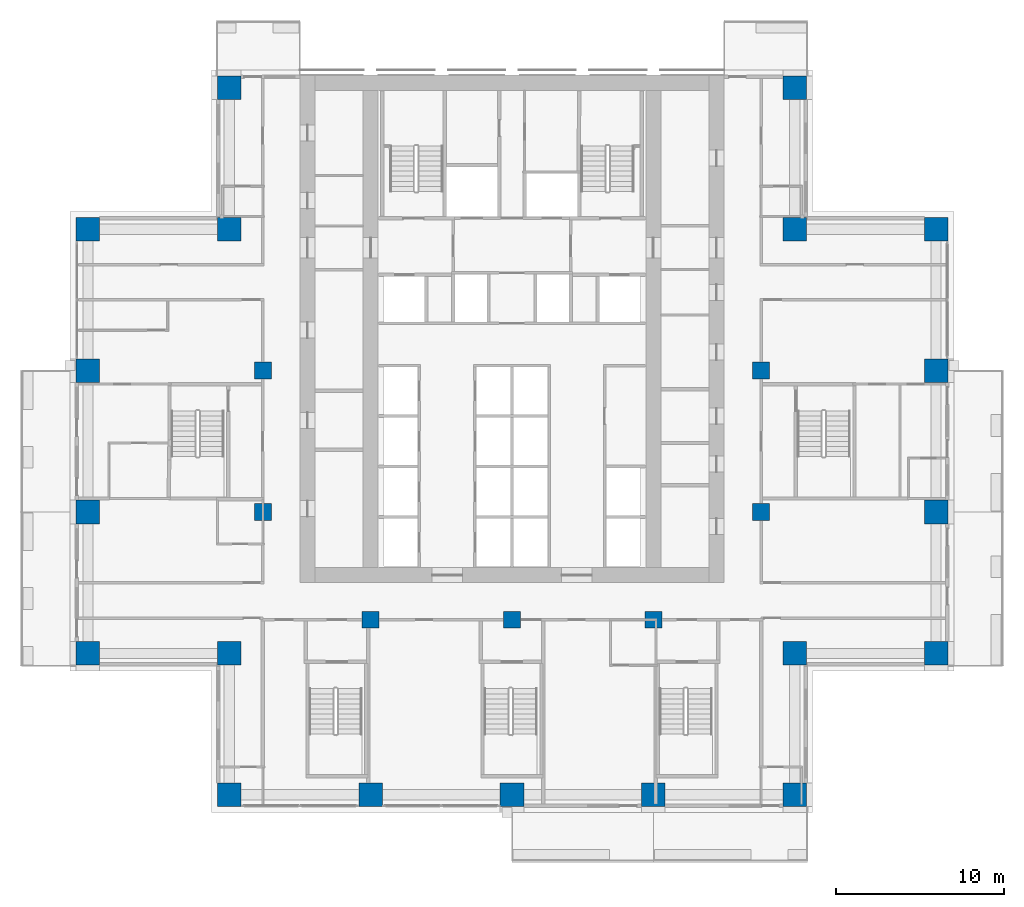
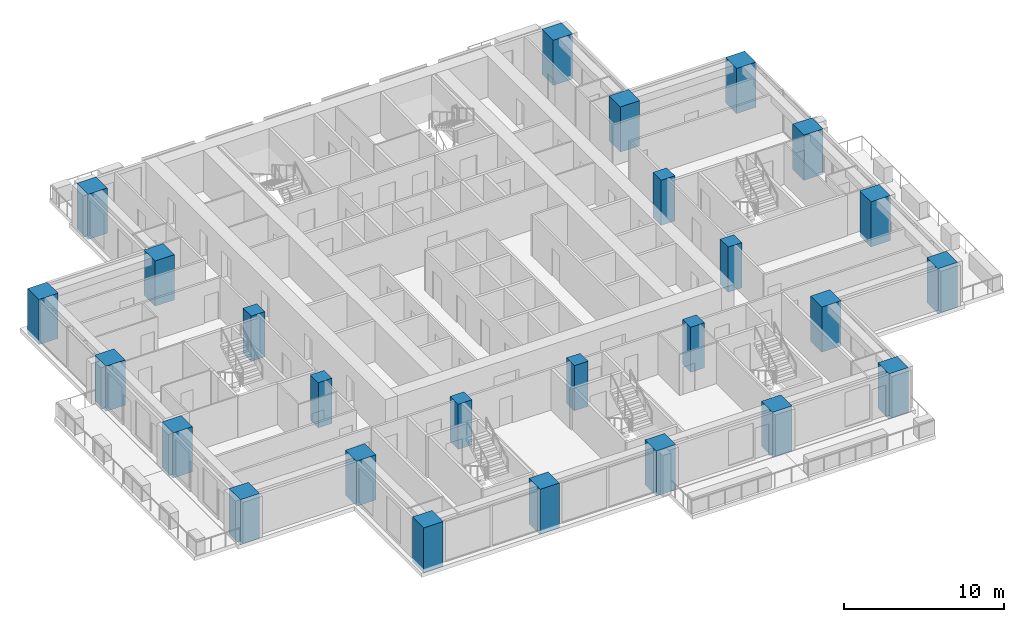
# One storey, part 1 of 17: 26 columns.
"""IFC4 building model written with IfcOpenShell, lengths in metres."""

from ifc_helpers import new_model, si_unit, direction, frame, origin, origin_2d, place, context, subcontext, project, spatial, rectangle, extrude, material, material_profile, profile_set, type_object, element, save


model = new_model("IFC4")

# Units and contexts
model_context = context("Model", 3, precision=1e-05, world=origin(), true_north=direction((0.0, 1.0)))
body_context = subcontext(model_context, "Body", "Model", "MODEL_VIEW")
ifc_project = project(units=[si_unit("LENGTHUNIT", "METRE"), si_unit("AREAUNIT", "SQUARE_METRE"), si_unit("VOLUMEUNIT", "CUBIC_METRE"), si_unit("PLANEANGLEUNIT", "RADIAN"), si_unit("MASSUNIT", "GRAM", prefix="KILO")], contexts=[model_context])

# Site, building, storey
site_placement = place(None, origin())
site = spatial("IfcSite", under=ifc_project, at=site_placement, CompositionType="ELEMENT")
building_placement = place(site_placement, origin())
building = spatial("IfcBuilding", under=site, at=building_placement, Name="Vermilion Ogive Tower", CompositionType="ELEMENT")
storey_placement = place(building_placement, frame((0.0, 0.0, 51.75)))
storey = spatial("IfcBuildingStorey", under=building, at=storey_placement, Name="L11", CompositionType="ELEMENT", Elevation=51.75)

# Columns
ifc_material_1 = material(Name="Concrete B80", Category="concrete")
ifc_material_profile_1 = material_profile(ifc_material_1, rectangle(XDim=1.39990234375, YDim=1.39990234375, at=origin_2d()), Name="1400 x 1400")
ifc_profile_set_1 = profile_set([ifc_material_profile_1], Name="Concrete B80")
column_type_1 = type_object("IfcColumnType", Name="Perimeter column 1400 x 1400 B80", PredefinedType="COLUMN", material=ifc_profile_set_1)
for number, where, z_axis, x_axis, name in (
    (1, (-16.800048828125, -21.0, -0.320068359375), (0.0, 0.0, 1.0), (1.0, 0.0, 0.0), "COL-L11-P-0168-210"),
    (2, (-8.39990234375, -21.0, -0.320068359375), (0.0, 0.0, 1.0), (1.0, 0.0, 0.0), "COL-L11-P-0084-210"),
    (3, (0.0, -21.0, -0.320068359375), (0.0, 0.0, 1.0), (1.0, 0.0, 0.0), "COL-L11-P+0000-210"),
    (4, (8.39990234375, -21.0, -0.320068359375), (0.0, 0.0, 1.0), (1.0, 0.0, 0.0), "COL-L11-P+0084-210"),
    (5, (16.800048828125, -21.0, -0.320068359375), (0.0, 0.0, 1.0), (1.0, 0.0, 0.0), "COL-L11-P+0168-210"),
    (6, (-25.199951171875, -12.60009765625, -0.320068359375), (0.0, 0.0, 1.0), (1.0, 0.0, 0.0), "COL-L11-P-0252-126"),
    (7, (-16.800048828125, -12.60009765625, -0.320068359375), (0.0, 0.0, 1.0), (1.0, 0.0, 0.0), "COL-L11-P-0168-126"),
    (8, (16.800048828125, -12.60009765625, -0.320068359375), (0.0, 0.0, 1.0), (1.0, 0.0, 0.0), "COL-L11-P+0168-126"),
    (9, (25.199951171875, -12.60009765625, -0.320068359375), (0.0, 0.0, 1.0), (1.0, 0.0, 0.0), "COL-L11-P+0252-126"),
    (10, (-25.199951171875, -4.199951171875, -0.320068359375), (0.0, 0.0, 1.0), (1.0, 0.0, 0.0), "COL-L11-P-0252-042"),
    (11, (25.199951171875, -4.199951171875, -0.320068359375), (0.0, 0.0, 1.0), (1.0, 0.0, 0.0), "COL-L11-P+0252-042"),
    (12, (-25.199951171875, 4.199951171875, -0.320068359375), (0.0, 0.0, 1.0), (1.0, 0.0, 0.0), "COL-L11-P-0252+042"),
    (13, (25.199951171875, 4.199951171875, -0.320068359375), (0.0, 0.0, 1.0), (1.0, 0.0, 0.0), "COL-L11-P+0252+042"),
    (14, (-25.199951171875, 12.60009765625, -0.320068359375), (0.0, 0.0, 1.0), (1.0, 0.0, 0.0), "COL-L11-P-0252+126"),
    (15, (-16.800048828125, 12.60009765625, -0.320068359375), (0.0, 0.0, 1.0), (1.0, 0.0, 0.0), "COL-L11-P-0168+126"),
    (16, (16.800048828125, 12.60009765625, -0.320068359375), (0.0, 0.0, 1.0), (1.0, 0.0, 0.0), "COL-L11-P+0168+126"),
    (17, (25.199951171875, 12.60009765625, -0.320068359375), (0.0, 0.0, 1.0), (1.0, 0.0, 0.0), "COL-L11-P+0252+126"),
    (18, (-16.800048828125, 21.0, -0.320068359375), (0.0, 0.0, 1.0), (1.0, 0.0, 0.0), "COL-L11-P-0168+210"),
    (19, (16.800048828125, 21.0, -0.320068359375), (0.0, 0.0, 1.0), (1.0, 0.0, 0.0), "COL-L11-P+0168+210"),
):
    element("IfcColumn", number, at=place(storey_placement, frame(where, z_axis=z_axis, x_axis=x_axis)), inside=storey, type_object=column_type_1, Name=name, PredefinedType="COLUMN", context=body_context, shape_type="SweptSolid", body=[
        extrude(rectangle(XDim=1.39990234375, YDim=1.39990234375, at=origin_2d()), origin(), (0.0, 0.0, 1.0), 3.449951171875),
    ])
ifc_material_2 = material(Name="Concrete B80", Category="concrete")
ifc_material_profile_2 = material_profile(ifc_material_2, rectangle(XDim=1.0, YDim=1.0, at=origin_2d()), Name="1000 x 1000")
ifc_profile_set_2 = profile_set([ifc_material_profile_2], Name="Concrete B80")
column_type_2 = type_object("IfcColumnType", Name="Ring column 1000 x 1000 B80", PredefinedType="COLUMN", material=ifc_profile_set_2)
for number, where, z_axis, x_axis, name in (
    (20, (-8.39990234375, -10.60009765625, -0.320068359375), (0.0, 0.0, 1.0), (1.0, 0.0, 0.0), "COL-L11-R-0084-106"),
    (21, (0.0, -10.60009765625, -0.320068359375), (0.0, 0.0, 1.0), (1.0, 0.0, 0.0), "COL-L11-R+0000-106"),
    (22, (8.39990234375, -10.60009765625, -0.320068359375), (0.0, 0.0, 1.0), (1.0, 0.0, 0.0), "COL-L11-R+0084-106"),
    (23, (-14.800048828125, -4.199951171875, -0.320068359375), (0.0, 0.0, 1.0), (1.0, 0.0, 0.0), "COL-L11-R-0148-042"),
    (24, (14.800048828125, -4.199951171875, -0.320068359375), (0.0, 0.0, 1.0), (1.0, 0.0, 0.0), "COL-L11-R+0148-042"),
    (25, (-14.800048828125, 4.199951171875, -0.320068359375), (0.0, 0.0, 1.0), (1.0, 0.0, 0.0), "COL-L11-R-0148+042"),
    (26, (14.800048828125, 4.199951171875, -0.320068359375), (0.0, 0.0, 1.0), (1.0, 0.0, 0.0), "COL-L11-R+0148+042"),
):
    element("IfcColumn", number, at=place(storey_placement, frame(where, z_axis=z_axis, x_axis=x_axis)), inside=storey, type_object=column_type_2, Name=name, PredefinedType="COLUMN", context=body_context, shape_type="SweptSolid", body=[
        extrude(rectangle(XDim=1.0, YDim=1.0, at=origin_2d()), origin(), (0.0, 0.0, 1.0), 3.449951171875),
    ])

save(model, "model.ifc")
